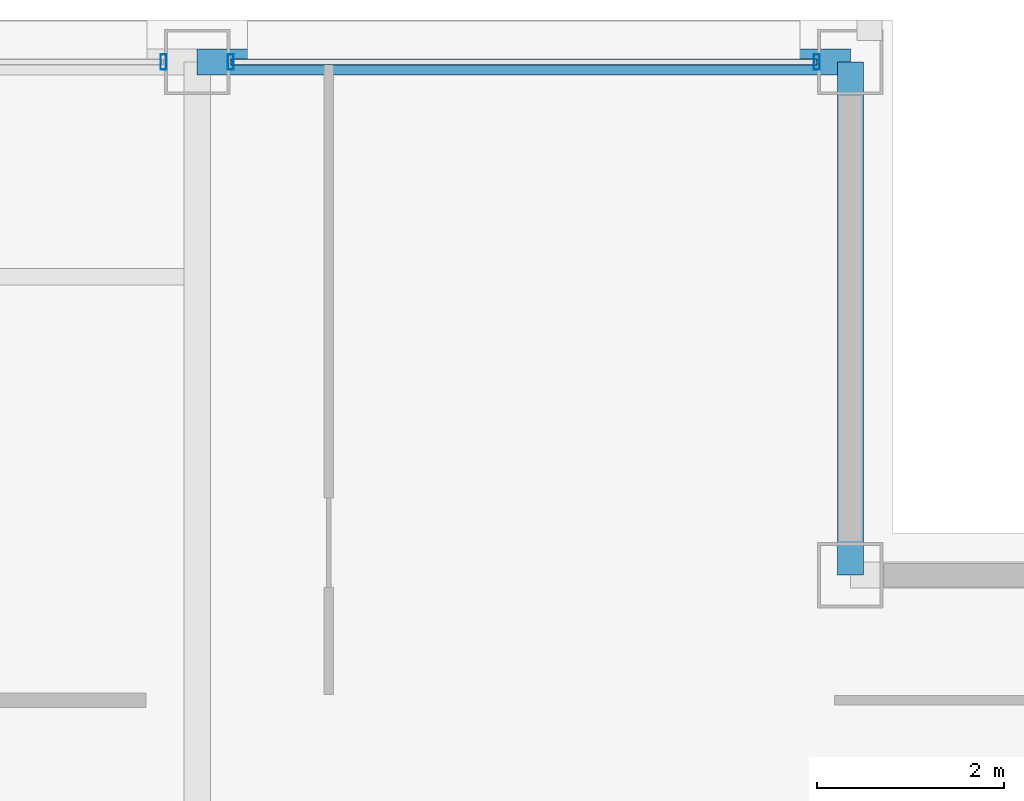
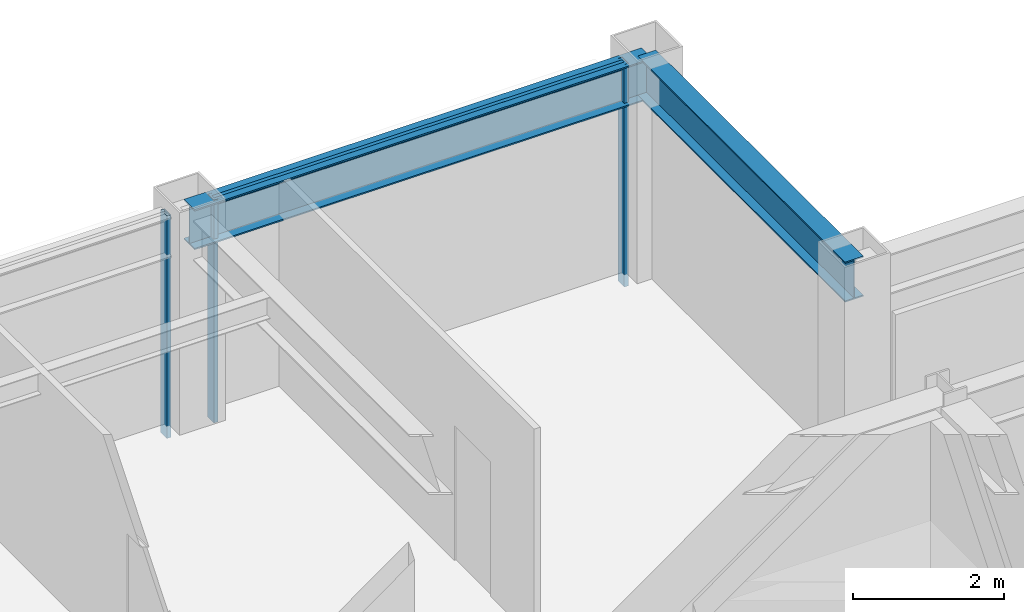
# One storey, part 21 of 29: 4 members, 2 beams, 2 elements without a shape of their own.
"""IFC4 building model written with IfcOpenShell, lengths in metres."""

from ifc_helpers import new_model, si_unit, direction, frame, origin, origin_2d, place, context, subcontext, project, spatial, hollow_rectangle, i_section, extrude, material, layer, layer_set, material_profile, profile_set, type_object, element, aggregate, save


model = new_model("IFC4")

# Units and contexts
model_context = context("Model", 3, precision=1e-05, world=origin(), true_north=direction((0.0, 1.0)))
body_context = subcontext(model_context, "Body", "Model", "MODEL_VIEW")
ifc_project = project(units=[si_unit("LENGTHUNIT", "METRE"), si_unit("AREAUNIT", "SQUARE_METRE"), si_unit("VOLUMEUNIT", "CUBIC_METRE"), si_unit("PLANEANGLEUNIT", "RADIAN"), si_unit("MASSUNIT", "GRAM", prefix="KILO")], contexts=[model_context])

# Site, building, storey
site_placement = place(None, origin())
site = spatial("IfcSite", under=ifc_project, at=site_placement, CompositionType="ELEMENT")
building_placement = place(site_placement, origin())
building = spatial("IfcBuilding", under=site, at=building_placement, Name="Brelmoor Portico Tower", CompositionType="ELEMENT")
storey_placement = place(building_placement, frame((0.0, 0.0, 201.89990234375)))
storey = spatial("IfcBuildingStorey", under=building, at=storey_placement, Name="L53", CompositionType="ELEMENT", Elevation=201.89990234375)

# Beams
ifc_material_1 = material(Name="Steel Q355B", Category="steel")
ifc_material_profile_1 = material_profile(ifc_material_1, i_section(OverallWidth=0.280029296875, OverallDepth=0.64990234375, WebThickness=0.012939453125, FlangeThickness=0.02197265625, at=origin_2d()), Name="HN 650x280x13x22")
ifc_profile_set_1 = profile_set([ifc_material_profile_1], Name="Steel Q355B")
beam_type = type_object("IfcBeamType", Name="BM-SP-650", PredefinedType="SPANDREL", material=ifc_profile_set_1)
beam_1_placement = place(storey_placement, frame((8.050048828125, 18.550048828125, 3.0751953125), z_axis=(1.0, 0.0, 0.0), x_axis=(0.0, 1.0, 0.0)))
element("IfcBeam", 1, at=beam_1_placement, inside=storey, type_object=beam_type, Name="L53 Perimeter Spandrel Beam SP-10", PredefinedType="SPANDREL", context=body_context, shape_type="SweptSolid", body=[
    extrude(i_section(OverallWidth=0.280029296875, OverallDepth=0.64990234375, WebThickness=0.012939453125, FlangeThickness=0.02197265625, at=origin_2d()), origin(), (0.0, 0.0, 1.0), 7.0),
])
beam_2_placement = place(storey_placement, frame((15.050048828125, 13.050048828125, 3.0751953125), z_axis=(0.0, 1.0, 0.0), x_axis=(-1.0, 0.0, 0.0)))
element("IfcBeam", 2, at=beam_2_placement, inside=storey, type_object=beam_type, Name="L53 Perimeter Spandrel Beam SP-17", PredefinedType="SPANDREL", context=body_context, shape_type="SweptSolid", body=[
    extrude(i_section(OverallWidth=0.280029296875, OverallDepth=0.64990234375, WebThickness=0.012939453125, FlangeThickness=0.02197265625, at=origin_2d()), origin(), (0.0, 0.0, 1.0), 5.5),
])

# Curtain wall, member
ifc_material_2 = material(Name="Anodised Aluminium Alloy 6063-T6", Category="aluminium")
ifc_layer = layer(ifc_material_2, 0.179931640625)
ifc_layer_set = layer_set([ifc_layer], Name="Anodised Aluminium Alloy 6063-T6")
curtain_wall_type = type_object("IfcCurtainWallType", Name="CW-TOWER-Z3-XB", PredefinedType="NOTDEFINED", material=ifc_layer_set)
curtain_wall_1_placement = place(storey_placement, origin())
curtain_wall_1 = element("IfcCurtainWall", 3, at=curtain_wall_1_placement, inside=storey, type_object=curtain_wall_type, Name="L53 Curtain Wall CW-L53-02-2", PredefinedType="NOTDEFINED")
ifc_material_profile_2 = material_profile(ifc_material_2, hollow_rectangle(XDim=0.06494140625, YDim=0.1650390625, WallThickness=0.00390625, at=origin_2d()), Name="ALU MULLION 65x165")
ifc_profile_set_2 = profile_set([ifc_material_profile_2], Name="Anodised Aluminium Alloy 6063-T6")
member_type_1 = type_object("IfcMemberType", Name="MB-CW-MULL-165", PredefinedType="MULLION", material=ifc_profile_set_2)
member_1_placement = place(storey_placement, frame((7.68994140625, 18.550048828125, -0.199951171875), z_axis=(0.0, 0.0, 1.0), x_axis=(1.0, 0.0, 0.0)))
member_1 = element("IfcMember", 4, at=member_1_placement, type_object=member_type_1, Name="CW-L53-02-2 Mullion 01", PredefinedType="MULLION", context=body_context, shape_type="SweptSolid", body=[
    extrude(hollow_rectangle(XDim=0.06494140625, YDim=0.1650390625, WallThickness=0.00390625, at=origin_2d()), origin(), (0.0, 0.0, 1.0), 3.60009765625),
])
aggregate(curtain_wall_1, [member_1])

# Curtain wall, members
curtain_wall_2_placement = place(storey_placement, origin())
curtain_wall_2 = element("IfcCurtainWall", 5, at=curtain_wall_2_placement, inside=storey, type_object=curtain_wall_type, Name="L53 Curtain Wall CW-L53-02-3", PredefinedType="NOTDEFINED")
member_2_placement = place(storey_placement, frame((8.409912109375, 18.550048828125, -0.199951171875), z_axis=(0.0, 0.0, 1.0), x_axis=(1.0, 0.0, 0.0)))
member_2 = element("IfcMember", 6, at=member_2_placement, type_object=member_type_1, Name="CW-L53-02-3 Mullion 00", PredefinedType="MULLION", context=body_context, shape_type="SweptSolid", body=[
    extrude(hollow_rectangle(XDim=0.06494140625, YDim=0.1650390625, WallThickness=0.00390625, at=origin_2d()), origin(), (0.0, 0.0, 1.0), 3.60009765625),
])
member_3_placement = place(storey_placement, frame((14.68994140625, 18.550048828125, -0.199951171875), z_axis=(0.0, 0.0, 1.0), x_axis=(1.0, 0.0, 0.0)))
member_3 = element("IfcMember", 7, at=member_3_placement, type_object=member_type_1, Name="CW-L53-02-3 Mullion 01", PredefinedType="MULLION", context=body_context, shape_type="SweptSolid", body=[
    extrude(hollow_rectangle(XDim=0.06494140625, YDim=0.1650390625, WallThickness=0.00390625, at=origin_2d()), origin(), (0.0, 0.0, 1.0), 3.60009765625),
])
ifc_material_profile_3 = material_profile(ifc_material_2, hollow_rectangle(XDim=0.06005859375, YDim=0.125, WallThickness=0.00341796875, at=origin_2d()), Name="ALU TRANSOM 60x125")
ifc_profile_set_3 = profile_set([ifc_material_profile_3], Name="Anodised Aluminium Alloy 6063-T6")
member_type_2 = type_object("IfcMemberType", Name="MB-CW-TRAN-125", PredefinedType="USERDEFINED", material=ifc_profile_set_3)
member_4_placement = place(storey_placement, frame((8.409912109375, 18.550048828125, 3.337646484375), z_axis=(1.0, 0.0, 0.0), x_axis=(0.0, 1.0, 0.0)))
member_4 = element("IfcMember", 8, at=member_4_placement, type_object=member_type_2, Name="CW-L53-02-3 Transom 1-00", ObjectType="TRANSOM", PredefinedType="USERDEFINED", context=body_context, shape_type="SweptSolid", body=[
    extrude(hollow_rectangle(XDim=0.06005859375, YDim=0.125, WallThickness=0.00341796875, at=origin_2d()), origin(), (0.0, 0.0, 1.0), 6.280029296875),
])
aggregate(curtain_wall_2, [member_2, member_3, member_4])

save(model, "model.ifc")
